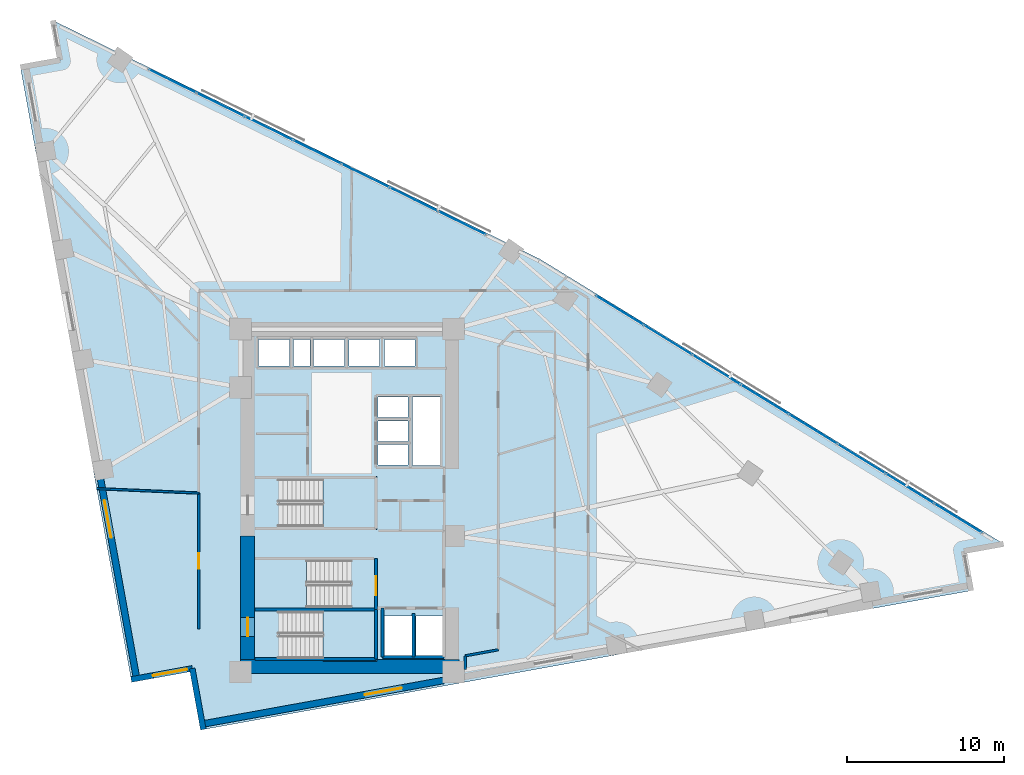
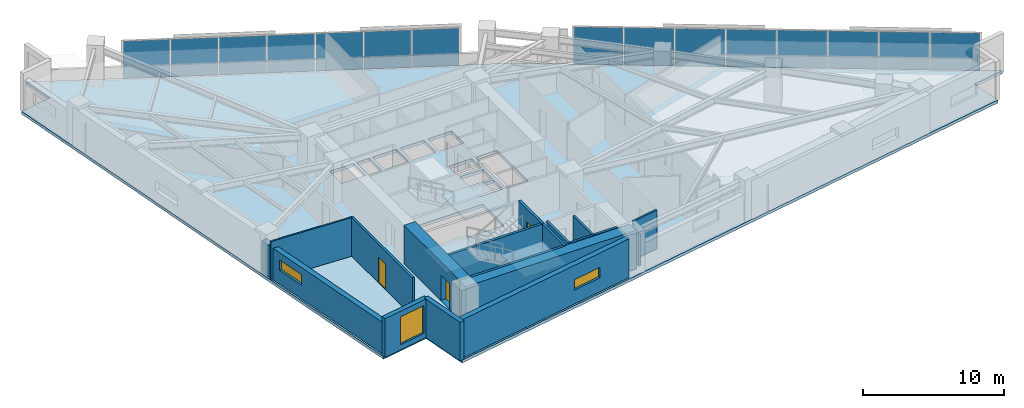
# One storey, part 12 of 19: 17 walls, 15 plates, 4 slabs, 3 doors, 3 windows, 6 openings, 5 elements without a shape of their own.
"""IFC4 building model written with IfcOpenShell, lengths in metres."""

from ifc_helpers import new_model, si_unit, direction, frame, frame_2d, origin, origin_2d, place, context, subcontext, project, spatial, polyline, rectangle, outline, extrude, material, layer, layer_set, type_object, element, fill, aggregate, save


model = new_model("IFC4")

# Units and contexts
model_context = context("Model", 3, precision=1e-05, world=origin(), true_north=direction((0.0, 1.0)))
body_context = subcontext(model_context, "Body", "Model", "MODEL_VIEW")
ifc_project = project(units=[si_unit("LENGTHUNIT", "METRE"), si_unit("AREAUNIT", "SQUARE_METRE"), si_unit("VOLUMEUNIT", "CUBIC_METRE"), si_unit("PLANEANGLEUNIT", "RADIAN"), si_unit("MASSUNIT", "GRAM", prefix="KILO")], contexts=[model_context])

# Site, building, storey
site_placement = place(None, origin())
site = spatial("IfcSite", under=ifc_project, at=site_placement, CompositionType="ELEMENT")
building_placement = place(site_placement, origin())
building = spatial("IfcBuilding", under=site, at=building_placement, Name="Narakoshi Arena Tower", CompositionType="ELEMENT")
storey_placement = place(building_placement, frame((0.0, 0.0, 117.300048828125)))
storey = spatial("IfcBuildingStorey", under=building, at=storey_placement, Name="L31", CompositionType="ELEMENT", Elevation=117.300048828125)

# Curtain wall, plates
ifc_material_1 = material(Name="Anodised bronze aluminium 6063-T6", Category="aluminium")
curtain_wall_type = type_object("IfcCurtainWallType", Name="CW-HYP-LOW", PredefinedType="NOTDEFINED", material=ifc_material_1)
curtain_wall_1_placement = place(storey_placement, origin())
curtain_wall_1 = element("IfcCurtainWall", 1, at=curtain_wall_1_placement, inside=storey, type_object=curtain_wall_type, Name="L31 Folded Hypotenuse Curtain Wall 1-1", PredefinedType="NOTDEFINED")
ifc_material_2 = material(Name="Bronze-tinted low-E laminated glass", Category="glass")
ifc_layer_1 = layer(ifc_material_2, 0.031982421875)
ifc_layer_set_1 = layer_set([ifc_layer_1], Name="Bronze-tinted low-E laminated glass")
plate_type = type_object("IfcPlateType", Name="PLT-GLZ-32", PredefinedType="CURTAIN_PANEL", material=ifc_layer_set_1)
plate_1_placement = place(storey_placement, frame((117.64013671875, 44.483642578125, 0.06494140625), z_axis=(0.0, 0.0, 1.0), x_axis=(-0.852113104237, 0.523357676535, 0.0)))
plate_1 = element("IfcPlate", 2, at=plate_1_placement, type_object=plate_type, Name="CW-01 panel 1.1", PredefinedType="CURTAIN_PANEL", context=body_context, shape_type="SweptSolid", body=[
    extrude(rectangle(XDim=3.498291015625, YDim=0.031982421875, at=origin_2d()), origin(), (0.0, 0.0, 1.0), 3.2099609375),
])
plate_2_placement = place(storey_placement, frame((114.5791015625, 46.36376953125, 0.06494140625), z_axis=(0.0, 0.0, 1.0), x_axis=(-0.852113104237, 0.523357676535, 0.0)))
plate_2 = element("IfcPlate", 3, at=plate_2_placement, type_object=plate_type, Name="CW-01 panel 2.1", PredefinedType="CURTAIN_PANEL", context=body_context, shape_type="SweptSolid", body=[
    extrude(rectangle(XDim=3.535888671875, YDim=0.031982421875, at=origin_2d()), origin(), (0.0, 0.0, 1.0), 3.2099609375),
])
plate_3_placement = place(storey_placement, frame((111.502197265625, 48.25341796875, 0.06494140625), z_axis=(0.0, 0.0, 1.0), x_axis=(-0.852113104237, 0.523357676535, 0.0)))
plate_3 = element("IfcPlate", 4, at=plate_3_placement, type_object=plate_type, Name="CW-01 panel 3.1", PredefinedType="CURTAIN_PANEL", context=body_context, shape_type="SweptSolid", body=[
    extrude(rectangle(XDim=3.535888671875, YDim=0.031982421875, at=origin_2d()), origin(), (0.0, 0.0, 1.0), 3.2099609375),
])
plate_4_placement = place(storey_placement, frame((108.42529296875, 50.143310546875, 0.06494140625), z_axis=(0.0, 0.0, 1.0), x_axis=(-0.852113104237, 0.523357676535, 0.0)))
plate_4 = element("IfcPlate", 5, at=plate_4_placement, type_object=plate_type, Name="CW-01 panel 4.1", PredefinedType="CURTAIN_PANEL", context=body_context, shape_type="SweptSolid", body=[
    extrude(rectangle(XDim=3.535888671875, YDim=0.031982421875, at=origin_2d()), origin(), (0.0, 0.0, 1.0), 3.2099609375),
])
plate_5_placement = place(storey_placement, frame((105.348388671875, 52.032958984375, 0.06494140625), z_axis=(0.0, 0.0, 1.0), x_axis=(-0.852113104237, 0.523357676535, 0.0)))
plate_5 = element("IfcPlate", 6, at=plate_5_placement, type_object=plate_type, Name="CW-01 panel 5.1", PredefinedType="CURTAIN_PANEL", context=body_context, shape_type="SweptSolid", body=[
    extrude(rectangle(XDim=3.535888671875, YDim=0.031982421875, at=origin_2d()), origin(), (0.0, 0.0, 1.0), 3.2099609375),
])
plate_6_placement = place(storey_placement, frame((102.271728515625, 53.9228515625, 0.06494140625), z_axis=(0.0, 0.0, 1.0), x_axis=(-0.852113104237, 0.523357676535, 0.0)))
plate_6 = element("IfcPlate", 7, at=plate_6_placement, type_object=plate_type, Name="CW-01 panel 6.1", PredefinedType="CURTAIN_PANEL", context=body_context, shape_type="SweptSolid", body=[
    extrude(rectangle(XDim=3.535888671875, YDim=0.031982421875, at=origin_2d()), origin(), (0.0, 0.0, 1.0), 3.2099609375),
])
plate_7_placement = place(storey_placement, frame((99.19482421875, 55.8125, 0.06494140625), z_axis=(0.0, 0.0, 1.0), x_axis=(-0.852113104237, 0.523357676535, 0.0)))
plate_7 = element("IfcPlate", 8, at=plate_7_placement, type_object=plate_type, Name="CW-01 panel 7.1", PredefinedType="CURTAIN_PANEL", context=body_context, shape_type="SweptSolid", body=[
    extrude(rectangle(XDim=3.535888671875, YDim=0.031982421875, at=origin_2d()), origin(), (0.0, 0.0, 1.0), 3.2099609375),
])
plate_8_placement = place(storey_placement, frame((96.1337890625, 57.692626953125, 0.06494140625), z_axis=(0.0, 0.0, 1.0), x_axis=(-0.852113104237, 0.523357676535, 0.0)))
plate_8 = element("IfcPlate", 9, at=plate_8_placement, type_object=plate_type, Name="CW-01 panel 8.1", PredefinedType="CURTAIN_PANEL", context=body_context, shape_type="SweptSolid", body=[
    extrude(rectangle(XDim=3.498291015625, YDim=0.031982421875, at=origin_2d()), origin(), (0.0, 0.0, 1.0), 3.2099609375),
])
aggregate(curtain_wall_1, [plate_1, plate_2, plate_3, plate_4, plate_5, plate_6, plate_7, plate_8])

curtain_wall_2_placement = place(storey_placement, origin())
curtain_wall_2 = element("IfcCurtainWall", 10, at=curtain_wall_2_placement, inside=storey, type_object=curtain_wall_type, Name="L31 Folded Hypotenuse Curtain Wall 2-1", PredefinedType="NOTDEFINED")
plate_9_placement = place(storey_placement, frame((86.0791015625, 63.259765625, 0.06494140625), z_axis=(0.0, 0.0, 1.0), x_axis=(-0.89799556291, 0.440004510198, 0.0)))
plate_9 = element("IfcPlate", 11, at=plate_9_placement, type_object=plate_type, Name="CW-01 panel 1.1", PredefinedType="CURTAIN_PANEL", context=body_context, shape_type="SweptSolid", body=[
    extrude(rectangle(XDim=3.309814453125, YDim=0.031982421875, at=origin_2d()), origin(), (0.0, 0.0, 1.0), 3.2099609375),
])
plate_10_placement = place(storey_placement, frame((83.022705078125, 64.75732421875, 0.06494140625), z_axis=(0.0, 0.0, 1.0), x_axis=(-0.89799556291, 0.440004510198, 0.0)))
plate_10 = element("IfcPlate", 12, at=plate_10_placement, type_object=plate_type, Name="CW-01 panel 2.1", PredefinedType="CURTAIN_PANEL", context=body_context, shape_type="SweptSolid", body=[
    extrude(rectangle(XDim=3.347412109375, YDim=0.031982421875, at=origin_2d()), origin(), (0.0, 0.0, 1.0), 3.2099609375),
])
plate_11_placement = place(storey_placement, frame((79.949462890625, 66.26318359375, 0.06494140625), z_axis=(0.0, 0.0, 1.0), x_axis=(-0.89799556291, 0.440004510198, 0.0)))
plate_11 = element("IfcPlate", 13, at=plate_11_placement, type_object=plate_type, Name="CW-01 panel 3.1", PredefinedType="CURTAIN_PANEL", context=body_context, shape_type="SweptSolid", body=[
    extrude(rectangle(XDim=3.347412109375, YDim=0.031982421875, at=origin_2d()), origin(), (0.0, 0.0, 1.0), 3.2099609375),
])
plate_12_placement = place(storey_placement, frame((76.8759765625, 67.76904296875, 0.06494140625), z_axis=(0.0, 0.0, 1.0), x_axis=(-0.89799556291, 0.440004510198, 0.0)))
plate_12 = element("IfcPlate", 14, at=plate_12_placement, type_object=plate_type, Name="CW-01 panel 4.1", PredefinedType="CURTAIN_PANEL", context=body_context, shape_type="SweptSolid", body=[
    extrude(rectangle(XDim=3.347412109375, YDim=0.031982421875, at=origin_2d()), origin(), (0.0, 0.0, 1.0), 3.2099609375),
])
plate_13_placement = place(storey_placement, frame((73.802734375, 69.27490234375, 0.06494140625), z_axis=(0.0, 0.0, 1.0), x_axis=(-0.89799556291, 0.440004510198, 0.0)))
plate_13 = element("IfcPlate", 15, at=plate_13_placement, type_object=plate_type, Name="CW-01 panel 5.1", PredefinedType="CURTAIN_PANEL", context=body_context, shape_type="SweptSolid", body=[
    extrude(rectangle(XDim=3.347412109375, YDim=0.031982421875, at=origin_2d()), origin(), (0.0, 0.0, 1.0), 3.2099609375),
])
plate_14_placement = place(storey_placement, frame((70.7294921875, 70.781005859375, 0.06494140625), z_axis=(0.0, 0.0, 1.0), x_axis=(-0.89799556291, 0.440004510198, 0.0)))
plate_14 = element("IfcPlate", 16, at=plate_14_placement, type_object=plate_type, Name="CW-01 panel 6.1", PredefinedType="CURTAIN_PANEL", context=body_context, shape_type="SweptSolid", body=[
    extrude(rectangle(XDim=3.347412109375, YDim=0.031982421875, at=origin_2d()), origin(), (0.0, 0.0, 1.0), 3.2099609375),
])
plate_15_placement = place(storey_placement, frame((67.673095703125, 72.278564453125, 0.06494140625), z_axis=(0.0, 0.0, 1.0), x_axis=(-0.89799556291, 0.440004510198, 0.0)))
plate_15 = element("IfcPlate", 17, at=plate_15_placement, type_object=plate_type, Name="CW-01 panel 7.1", PredefinedType="CURTAIN_PANEL", context=body_context, shape_type="SweptSolid", body=[
    extrude(rectangle(XDim=3.309814453125, YDim=0.031982421875, at=origin_2d()), origin(), (0.0, 0.0, 1.0), 3.2099609375),
])
aggregate(curtain_wall_2, [plate_9, plate_10, plate_11, plate_12, plate_13, plate_14, plate_15])

# Stair, slab
ifc_material_3 = material(Name="Concrete C45/55", Category="concrete")
stair_type = type_object("IfcStairType", Name="STR-CORE-360", PredefinedType="TWO_STRAIGHT_RUN_STAIR", material=ifc_material_3)
stair_1_placement = place(storey_placement, origin())
stair_1 = element("IfcStair", 18, at=stair_1_placement, inside=storey, type_object=stair_type, Name="L31 Core Escape Stair ST1", PredefinedType="TWO_STRAIGHT_RUN_STAIR")
ifc_layer_2 = layer(ifc_material_3, 0.18994140625)
ifc_layer_set_2 = layer_set([ifc_layer_2], Name="Concrete C45/55")
slab_type_1 = type_object("IfcSlabType", Name="SLB-LND-190", PredefinedType="LANDING", material=ifc_layer_set_2)
slab_1_placement = place(storey_placement, frame((0.0, 0.0, 1.60986328125)))
slab_1 = element("IfcSlab", 19, at=slab_1_placement, type_object=slab_type_1, Name="ST1 landing 1", PredefinedType="LANDING", context=body_context, shape_type="SweptSolid", body=[
    extrude(outline(polyline([(77.25, 35.3701171875), (80.679931640625, 35.3701171875), (80.679931640625, 38.72998046875), (77.25, 38.72998046875), (77.25, 35.3701171875)])), origin(), (0.0, 0.0, 1.0), 0.190185546875),
])
aggregate(stair_1, [slab_1])

stair_2_placement = place(storey_placement, origin())
stair_2 = element("IfcStair", 20, at=stair_2_placement, inside=storey, type_object=stair_type, Name="L31 Core Escape Stair ST2", PredefinedType="TWO_STRAIGHT_RUN_STAIR")
slab_2_placement = place(storey_placement, frame((0.0, 0.0, 1.60986328125)))
slab_2 = element("IfcSlab", 21, at=slab_2_placement, type_object=slab_type_1, Name="ST2 landing 1", PredefinedType="LANDING", context=body_context, shape_type="SweptSolid", body=[
    extrude(outline(polyline([(72.77001953125, 38.6201171875), (76.199951171875, 38.6201171875), (76.199951171875, 41.97998046875), (72.77001953125, 41.97998046875), (72.77001953125, 38.6201171875)])), origin(), (0.0, 0.0, 1.0), 0.190185546875),
])
aggregate(stair_2, [slab_2])

stair_3_placement = place(storey_placement, origin())
stair_3 = element("IfcStair", 22, at=stair_3_placement, inside=storey, type_object=stair_type, Name="L31 Core Escape Stair ST3", PredefinedType="TWO_STRAIGHT_RUN_STAIR")
slab_3_placement = place(storey_placement, frame((0.0, 0.0, 1.60986328125)))
slab_3 = element("IfcSlab", 23, at=slab_3_placement, type_object=slab_type_1, Name="ST3 landing 1", PredefinedType="LANDING", context=body_context, shape_type="SweptSolid", body=[
    extrude(outline(polyline([(77.25, 43.77001953125), (80.679931640625, 43.77001953125), (80.679931640625, 47.1298828125), (77.25, 47.1298828125), (77.25, 43.77001953125)])), origin(), (0.0, 0.0, 1.0), 0.190185546875),
])
aggregate(stair_3, [slab_3])

# Slab
ifc_material_4 = material(Name="Concrete C50/60", Category="concrete")
ifc_layer_3 = layer(ifc_material_4, 0.260009765625)
ifc_layer_set_3 = layer_set([ifc_layer_3], Name="Concrete C50/60")
slab_type_2 = type_object("IfcSlabType", Name="SLB-SKY-260", PredefinedType="FLOOR", material=ifc_layer_set_3)
slab_4_placement = place(storey_placement, frame((0.0, 0.0, -0.260009765625)))
element("IfcSlab", 24, at=slab_4_placement, inside=storey, type_object=slab_type_2, Name="L31 Structural Floor Slab", PredefinedType="FLOOR", context=body_context, shape_type="SweptSolid", body=[
    extrude(outline(polyline([(69.626953125, 31.03271484375), (118.466796875, 39.8642578125), (118.01025390625, 42.3896484375), (120.535400390625, 42.84619140625), (91.034912109375, 60.965087890625), (60.066162109375, 76.139404296875), (60.522705078125, 73.614013671875), (57.99755859375, 73.157470703125), (65.039306640625, 34.215087890625), (68.92431640625, 34.91748046875), (69.626953125, 31.03271484375)]), holes=[polyline([(80.5, 35.550048828125), (74.47998046875, 35.550048828125), (74.47998046875, 38.550048828125), (80.5, 38.550048828125), (80.5, 35.550048828125)]), polyline([(82.89990234375, 35.75), (81.14990234375, 35.75), (81.14990234375, 38.25), (82.89990234375, 38.25), (82.89990234375, 35.75)]), polyline([(83.14990234375, 35.75), (83.14990234375, 38.25), (84.89990234375, 38.25), (84.89990234375, 35.75), (83.14990234375, 35.75)]), polyline([(72.949951171875, 38.800048828125), (72.949951171875, 41.800048828125), (78.969970703125, 41.800048828125), (78.969970703125, 38.800048828125), (72.949951171875, 38.800048828125)]), polyline([(74.47998046875, 43.949951171875), (74.47998046875, 46.949951171875), (80.5, 46.949951171875), (80.5, 43.949951171875), (74.47998046875, 43.949951171875)]), polyline([(82.949951171875, 47.840087890625), (82.949951171875, 52.199951171875), (84.699951171875, 52.199951171875), (84.699951171875, 47.840087890625), (82.949951171875, 47.840087890625)]), polyline([(80.75, 47.85009765625), (80.75, 49.14990234375), (82.64990234375, 49.14990234375), (82.64990234375, 47.85009765625), (80.75, 47.85009765625)]), polyline([(80.75, 49.3701171875), (80.75, 50.669921875), (82.64990234375, 50.669921875), (82.64990234375, 49.3701171875), (80.75, 49.3701171875)]), polyline([(80.75, 50.889892578125), (80.75, 52.18994140625), (82.64990234375, 52.18994140625), (82.64990234375, 50.889892578125), (80.75, 50.889892578125)]), polyline([(73.14990234375, 54.14990234375), (73.14990234375, 55.85009765625), (75.10009765625, 55.85009765625), (75.10009765625, 54.14990234375), (73.14990234375, 54.14990234375)]), polyline([(75.35009765625, 54.14990234375), (75.35009765625, 55.85009765625), (76.39990234375, 55.85009765625), (76.39990234375, 54.14990234375), (75.35009765625, 54.14990234375)]), polyline([(76.64990234375, 54.14990234375), (76.64990234375, 55.85009765625), (78.60009765625, 55.85009765625), (78.60009765625, 54.14990234375), (76.64990234375, 54.14990234375)]), polyline([(78.89990234375, 54.14990234375), (78.89990234375, 55.85009765625), (80.85009765625, 55.85009765625), (80.85009765625, 54.14990234375), (78.89990234375, 54.14990234375)]), polyline([(81.14990234375, 54.14990234375), (81.14990234375, 55.85009765625), (83.10009765625, 55.85009765625), (83.10009765625, 54.14990234375), (81.14990234375, 54.14990234375)])]), origin(), (0.0, 0.0, 1.0), 0.260009765625),
])

# Wall, opening, door
ifc_material_5 = material(Name="Concrete C60/75", Category="concrete")
ifc_layer_4 = layer(ifc_material_5, 0.89990234375)
ifc_layer_set_4 = layer_set([ifc_layer_4], Name="Concrete C60/75")
wall_type_1 = type_object("IfcWallType", Name="WL-CORE-900", PredefinedType="SHEAR", material=ifc_layer_set_4)
wall_1_placement = place(storey_placement, frame((72.449951171875, 35.5, -0.260009765625), z_axis=(0.0, 0.0, 1.0), x_axis=(0.0, 1.0, 0.0)))
wall_1 = element("IfcWall", 25, at=wall_1_placement, inside=storey, type_object=wall_type_1, Name="L31 Central Core Shear Wall CW-APX-W", PredefinedType="SHEAR", context=body_context, shape_type="SweptSolid", body=[
    extrude(rectangle(XDim=7.85009765625, YDim=0.89990234375, at=frame_2d((3.925048828125, 0.0))), origin(), (0.0, 0.0, 1.0), 3.599853515625),
])
opening_1_placement = place(wall_1_placement, frame((1.449951171875, 0.0, 0.260009765625)))
opening_1 = element("IfcOpeningElement", 26, at=opening_1_placement, cuts=wall_1, Name="Opening D-03", PredefinedType="OPENING", context=body_context, shape_type="SweptSolid", body=[
    extrude(rectangle(XDim=1.199951171875, YDim=2.199951171875, at=frame_2d((0.60009765625, 1.10009765625))), frame((0.0, 0.4599609375, 0.0), z_axis=(0.0, -1.0, 0.0), x_axis=(1.0, 0.0, 0.0)), (0.0, 0.0, 1.0), 0.919921875),
])
ifc_material_6 = material(Name="Painted galvanized steel", Category="steel")
door_type_1 = type_object("IfcDoorType", Name="DR-STR-1200", OperationType="NOTDEFINED", PredefinedType="USERDEFINED", material=ifc_material_6)
door_1_placement = place(opening_1_placement, frame((1.199951171875, 0.0, 0.0), z_axis=(0.0, 0.0, 1.0), x_axis=(-1.0, 0.0, 0.0)))
door_1 = element("IfcDoor", 27, at=door_1_placement, inside=storey, type_object=door_type_1, Name="DR-L31-001", ObjectType="EXITDOOR", OperationType="SINGLE_SWING_LEFT", OverallHeight=2.199951171875, OverallWidth=1.199951171875, PredefinedType="USERDEFINED", context=body_context, shape_type="SweptSolid", body=[
    extrude(rectangle(XDim=1.199951171875, YDim=2.199951171875, at=frame_2d((0.60009765625, 1.10009765625))), frame((0.0, 0.02490234375, 0.0), z_axis=(0.0, -1.0, 0.0), x_axis=(1.0, 0.0, 0.0)), (0.0, 0.0, 1.0), 0.050048828125),
])
fill(opening_1, door_1)

# Wall
wall_2_placement = place(storey_placement, frame((72.0, 35.050048828125, -0.260009765625), z_axis=(0.0, 0.0, 1.0), x_axis=(1.0, 0.0, 0.0)))
element("IfcWall", 28, at=wall_2_placement, inside=storey, type_object=wall_type_1, Name="L31 Central Core Shear Wall CW-APX-S", PredefinedType="SHEAR", context=body_context, shape_type="SweptSolid", body=[
    extrude(rectangle(XDim=13.89990234375, YDim=0.89990234375, at=frame_2d((6.949951171875, 0.0))), origin(), (0.0, 0.0, 1.0), 3.599853515625),
])

# Wall, opening, door
ifc_material_7 = material(Name="Gypsum plasterboard fire-rated partition")
ifc_layer_5 = layer(ifc_material_7, 0.1650390625)
ifc_layer_set_5 = layer_set([ifc_layer_5], Name="Gypsum plasterboard fire-rated partition")
wall_type_2 = type_object("IfcWallType", Name="WL-CORR-165", PredefinedType="PARTITIONING", material=ifc_layer_set_5)
wall_3_placement = place(storey_placement, frame((69.344970703125, 46.0751953125, 0.0), z_axis=(0.0, 0.0, 1.0), x_axis=(0.0, -1.0, 0.0)))
wall_3 = element("IfcWall", 29, at=wall_3_placement, inside=storey, type_object=wall_type_2, Name="L31 Corridor Partition 01-1", PredefinedType="PARTITIONING", context=body_context, shape_type="SweptSolid", body=[
    extrude(rectangle(XDim=8.635009765625, YDim=0.1650390625, at=frame_2d((4.3173828125, 0.0))), origin(), (0.0, 0.0, 1.0), 3.33984375),
])
opening_2_placement = place(wall_3_placement, frame((3.817626953125, 0.0, 0.0)))
opening_2 = element("IfcOpeningElement", 30, at=opening_2_placement, cuts=wall_3, Name="Opening D-06", PredefinedType="OPENING", context=body_context, shape_type="SweptSolid", body=[
    extrude(rectangle(XDim=1.0, YDim=2.199951171875, at=frame_2d((0.5, 1.10009765625))), frame((0.0, 0.092529296875, 0.0), z_axis=(0.0, -1.0, 0.0), x_axis=(1.0, 0.0, 0.0)), (0.0, 0.0, 1.0), 0.18505859375),
])
ifc_material_8 = material(Name="Stained oak solid-core timber", Category="wood")
door_type_2 = type_object("IfcDoorType", Name="DR-OFF-1000", OperationType="NOTDEFINED", PredefinedType="DOOR", material=ifc_material_8)
door_2_placement = place(opening_2_placement, frame((1.0, 0.0, 0.0), z_axis=(0.0, 0.0, 1.0), x_axis=(-1.0, 0.0, 0.0)))
door_2 = element("IfcDoor", 31, at=door_2_placement, inside=storey, type_object=door_type_2, Name="DR-L31-015", OperationType="SINGLE_SWING_LEFT", OverallHeight=2.199951171875, OverallWidth=1.0, PredefinedType="DOOR", context=body_context, shape_type="SweptSolid", body=[
    extrude(rectangle(XDim=1.0, YDim=2.199951171875, at=frame_2d((0.5, 1.10009765625))), frame((0.0, 0.02490234375, 0.0), z_axis=(0.0, -1.0, 0.0), x_axis=(1.0, 0.0, 0.0)), (0.0, 0.0, 1.0), 0.050048828125),
])
fill(opening_2, door_2)

# Wall
ifc_layer_6 = layer(ifc_material_7, 0.125)
ifc_layer_set_6 = layer_set([ifc_layer_6], Name="Gypsum plasterboard fire-rated partition")
wall_type_3 = type_object("IfcWallType", Name="WL-PART-125", PredefinedType="PARTITIONING", material=ifc_layer_set_6)
wall_4_placement = place(storey_placement, frame((62.843994140625, 46.35595703125, 0.0), z_axis=(0.0, 0.0, 1.0), x_axis=(0.999068717199, -0.043147402162, 0.0)))
element("IfcWall", 32, at=wall_4_placement, inside=storey, type_object=wall_type_3, Name="L31 Inter-Room Partition 01-09", PredefinedType="PARTITIONING", context=body_context, shape_type="SweptSolid", body=[
    extrude(rectangle(XDim=6.507080078125, YDim=0.125, at=frame_2d((3.25341796875, 0.0))), origin(), (0.0, 0.0, 1.0), 3.33984375),
])

# Wall, opening, window
ifc_material_9 = material(Name="Precast concrete C45/55", Category="concrete")
ifc_layer_7 = layer(ifc_material_9, 0.419921875)
ifc_layer_set_7 = layer_set([ifc_layer_7], Name="Precast concrete C45/55")
wall_type_4 = type_object("IfcWallType", Name="WL-POD-420", PredefinedType="SOLIDWALL", material=ifc_layer_set_7)
wall_5_placement = place(storey_placement, frame((69.564697265625, 31.376953125, 0.0), z_axis=(0.0, 0.0, 1.0), x_axis=(0.98404091451, 0.177942346197, 0.0)))
wall_5 = element("IfcWall", 33, at=wall_5_placement, inside=storey, type_object=wall_type_4, Name="L31 Architectural Concrete Facade Wall LEGA-1", PredefinedType="SOLIDWALL", context=body_context, shape_type="SweptSolid", body=[
    extrude(rectangle(XDim=15.58349609375, YDim=0.419921875, at=frame_2d((7.791748046875, 0.0))), origin(), (0.0, 0.0, 1.0), 3.33984375),
])
opening_3_placement = place(wall_5_placement, frame((10.5, 0.0, 1.199951171875)))
opening_3 = element("IfcOpeningElement", 34, at=opening_3_placement, cuts=wall_5, Name="Opening WN-01", PredefinedType="OPENING", context=body_context, shape_type="SweptSolid", body=[
    extrude(rectangle(XDim=2.39990234375, YDim=0.89990234375, at=frame_2d((1.199951171875, 0.449951171875))), frame((0.0, 0.219970703125, 0.0), z_axis=(0.0, -1.0, 0.0), x_axis=(1.0, 0.0, 0.0)), (0.0, 0.0, 1.0), 0.43994140625),
])
window_type_1 = type_object("IfcWindowType", Name="WIN-SLT-24x09", PartitioningType="SINGLE_PANEL", PredefinedType="WINDOW", material=ifc_material_2)
window_1_placement = place(opening_3_placement, origin())
window_1 = element("IfcWindow", 35, at=window_1_placement, inside=storey, type_object=window_type_1, Name="L31 LEGA1 Horizontal Slot Window 1", OverallHeight=0.89990234375, OverallWidth=2.39990234375, PartitioningType="SINGLE_PANEL", PredefinedType="WINDOW", context=body_context, shape_type="SweptSolid", body=[
    extrude(rectangle(XDim=2.39990234375, YDim=0.89990234375, at=frame_2d((1.199951171875, 0.449951171875))), frame((0.0, 0.030029296875, 0.0), z_axis=(0.0, -1.0, 0.0), x_axis=(1.0, 0.0, 0.0)), (0.0, 0.0, 1.0), 0.06005859375),
])
fill(opening_3, window_1)

wall_6_placement = place(storey_placement, frame((62.989501953125, 47.517578125, 0.0), z_axis=(0.0, 0.0, 1.0), x_axis=(0.177948058674, -0.984039881516, 0.0)))
wall_6 = element("IfcWall", 36, at=wall_6_placement, inside=storey, type_object=wall_type_4, Name="L31 Architectural Concrete Facade Wall LEGB-3", PredefinedType="SOLIDWALL", context=body_context, shape_type="SweptSolid", body=[
    extrude(rectangle(XDim=13.455078125, YDim=0.419921875, at=frame_2d((6.7275390625, 0.0))), origin(), (0.0, 0.0, 1.0), 2.724853515625),
])
opening_4_placement = place(wall_6_placement, frame((1.945068359375, 0.0, 1.199951171875)))
opening_4 = element("IfcOpeningElement", 37, at=opening_4_placement, cuts=wall_6, Name="Opening WN-01", PredefinedType="OPENING", context=body_context, shape_type="SweptSolid", body=[
    extrude(rectangle(XDim=2.39990234375, YDim=0.89990234375, at=frame_2d((1.199951171875, 0.449951171875))), frame((0.0, 0.219970703125, 0.0), z_axis=(0.0, -1.0, 0.0), x_axis=(1.0, 0.0, 0.0)), (0.0, 0.0, 1.0), 0.43994140625),
])
window_2_placement = place(opening_4_placement, origin())
window_2 = element("IfcWindow", 38, at=window_2_placement, inside=storey, type_object=window_type_1, Name="L31 LEGB3 Horizontal Slot Window 1", OverallHeight=0.89990234375, OverallWidth=2.39990234375, PartitioningType="SINGLE_PANEL", PredefinedType="WINDOW", context=body_context, shape_type="SweptSolid", body=[
    extrude(rectangle(XDim=2.39990234375, YDim=0.89990234375, at=frame_2d((1.199951171875, 0.449951171875))), frame((0.0, 0.030029296875, 0.0), z_axis=(0.0, -1.0, 0.0), x_axis=(1.0, 0.0, 0.0)), (0.0, 0.0, 1.0), 0.06005859375),
])
fill(opening_4, window_2)

wall_7_placement = place(storey_placement, frame((65.039306640625, 34.215087890625, 0.0), z_axis=(0.0, 0.0, 1.0), x_axis=(0.984046535247, 0.177911260096, 0.0)))
wall_7 = element("IfcWall", 39, at=wall_7_placement, inside=storey, type_object=wall_type_4, Name="L31 Re-Entrant Corner Notch Wall NTA-1", PredefinedType="SOLIDWALL", context=body_context, shape_type="SweptSolid", body=[
    extrude(rectangle(XDim=3.947998046875, YDim=0.360107421875, at=frame_2d((1.97412109375, 0.0))), origin(), (0.0, 0.0, 1.0), 3.33984375),
])
opening_5_placement = place(wall_7_placement, frame((1.407958984375, 0.0, 0.449951171875)))
opening_5 = element("IfcOpeningElement", 40, at=opening_5_placement, cuts=wall_7, Name="Opening WN-07", PredefinedType="OPENING", context=body_context, shape_type="SweptSolid", body=[
    extrude(rectangle(XDim=2.199951171875, YDim=2.39990234375, at=frame_2d((1.10009765625, 1.199951171875))), frame((0.0, 0.18994140625, 0.0), z_axis=(0.0, -1.0, 0.0), x_axis=(1.0, 0.0, 0.0)), (0.0, 0.0, 1.0), 0.380126953125),
])
window_type_2 = type_object("IfcWindowType", Name="WIN-NTC-22x24", PartitioningType="SINGLE_PANEL", PredefinedType="WINDOW", material=ifc_material_2)
window_3_placement = place(opening_5_placement, origin())
window_3 = element("IfcWindow", 41, at=window_3_placement, inside=storey, type_object=window_type_2, Name="L31 Corner Notch Window NTA", OverallHeight=2.39990234375, OverallWidth=2.199951171875, PartitioningType="SINGLE_PANEL", PredefinedType="WINDOW", context=body_context, shape_type="SweptSolid", body=[
    extrude(rectangle(XDim=2.199951171875, YDim=2.39990234375, at=frame_2d((1.10009765625, 1.199951171875))), frame((0.0, 0.030029296875, 0.0), z_axis=(0.0, -1.0, 0.0), x_axis=(1.0, 0.0, 0.0)), (0.0, 0.0, 1.0), 0.06005859375),
])
fill(opening_5, window_3)

# Walls
wall_8_placement = place(storey_placement, frame((68.92431640625, 34.91748046875, 0.0), z_axis=(0.0, 0.0, 1.0), x_axis=(0.177981971326, -0.984033748346, 0.0)))
element("IfcWall", 42, at=wall_8_placement, inside=storey, type_object=wall_type_4, Name="L31 Re-Entrant Corner Notch Wall NTA-2", PredefinedType="SOLIDWALL", context=body_context, shape_type="SweptSolid", body=[
    extrude(rectangle(XDim=3.94775390625, YDim=0.360107421875, at=frame_2d((1.973876953125, 0.0))), origin(), (0.0, 0.0, 1.0), 3.33984375),
])
ifc_material_10 = material(Name="Concrete C40/50", Category="concrete")
ifc_layer_8 = layer(ifc_material_10, 0.280029296875)
ifc_layer_set_8 = layer_set([ifc_layer_8], Name="Concrete C40/50")
wall_type_5 = type_object("IfcWallType", Name="WL-RISER-280", PredefinedType="PLUMBINGWALL", material=ifc_layer_set_8)
wall_9_placement = place(storey_placement, frame((83.0, 35.64990234375, 0.0), z_axis=(0.0, 0.0, 1.0), x_axis=(0.0, 1.0, 0.0)))
element("IfcWall", 43, at=wall_9_placement, inside=storey, type_object=wall_type_5, Name="L31 Core Wall FF-DIV", PredefinedType="PLUMBINGWALL", context=body_context, shape_type="SweptSolid", body=[
    extrude(rectangle(XDim=2.75, YDim=0.159912109375, at=frame_2d((1.375, 0.0))), origin(), (0.0, 0.0, 1.0), 3.33984375),
])
ifc_layer_9 = layer(ifc_material_4, 0.35009765625)
ifc_layer_set_9 = layer_set([ifc_layer_9], Name="Concrete C50/60")
wall_type_6 = type_object("IfcWallType", Name="WL-SHAFT-350", PredefinedType="SOLIDWALL", material=ifc_layer_set_9)
for number, where, z_axis, x_axis, name in (
    (44, (72.919921875, 35.52001953125, -0.260009765625), (0.0, 0.0, 1.0), (1.0, 0.0, 0.0), "L31 Core Wall ST1-S"),
    (45, (72.919921875, 38.675048828125, -0.260009765625), (0.0, 0.0, 1.0), (1.0, 0.0, 0.0), "L31 Core Wall ST12-DIV"),
):
    element("IfcWall", number, at=place(storey_placement, frame(where, z_axis=z_axis, x_axis=x_axis)), inside=storey, type_object=wall_type_6, Name=name, PredefinedType="SOLIDWALL", context=body_context, shape_type="SweptSolid", body=[
        extrude(rectangle(XDim=7.7001953125, YDim=0.199951171875, at=frame_2d((3.85009765625, 0.0))), origin(), (0.0, 0.0, 1.0), 3.599853515625),
    ])
wall_10_placement = place(storey_placement, frame((80.6201171875, 35.52001953125, -0.260009765625), z_axis=(0.0, 0.0, 1.0), x_axis=(0.0, 1.0, 0.0)))
element("IfcWall", 46, at=wall_10_placement, inside=storey, type_object=wall_type_6, Name="L31 Core Wall ST1-E", PredefinedType="SOLIDWALL", context=body_context, shape_type="SweptSolid", body=[
    extrude(rectangle(XDim=3.155029296875, YDim=0.199951171875, at=frame_2d((1.57763671875, 0.0))), origin(), (0.0, 0.0, 1.0), 3.599853515625),
])

# Wall, opening, door
wall_11_placement = place(storey_placement, frame((80.6201171875, 38.675048828125, -0.260009765625), z_axis=(0.0, 0.0, 1.0), x_axis=(0.0, 1.0, 0.0)))
wall_11 = element("IfcWall", 47, at=wall_11_placement, inside=storey, type_object=wall_type_6, Name="L31 Core Wall ST2-E", PredefinedType="SOLIDWALL", context=body_context, shape_type="SweptSolid", body=[
    extrude(rectangle(XDim=3.244873046875, YDim=0.199951171875, at=frame_2d((1.62255859375, 0.0))), origin(), (0.0, 0.0, 1.0), 3.599853515625),
])
opening_6_placement = place(wall_11_placement, frame((0.89990234375, 0.0, 0.260009765625)))
opening_6 = element("IfcOpeningElement", 48, at=opening_6_placement, cuts=wall_11, Name="Opening D-03", PredefinedType="OPENING", context=body_context, shape_type="SweptSolid", body=[
    extrude(rectangle(XDim=1.199951171875, YDim=2.199951171875, at=frame_2d((0.60009765625, 1.10009765625))), frame((0.0, 0.10986328125, 0.0), z_axis=(0.0, -1.0, 0.0), x_axis=(1.0, 0.0, 0.0)), (0.0, 0.0, 1.0), 0.219970703125),
])
door_3_placement = place(opening_6_placement, origin())
door_3 = element("IfcDoor", 49, at=door_3_placement, inside=storey, type_object=door_type_1, Name="DR-L31-002", ObjectType="EXITDOOR", OperationType="SINGLE_SWING_RIGHT", OverallHeight=2.199951171875, OverallWidth=1.199951171875, PredefinedType="USERDEFINED", context=body_context, shape_type="SweptSolid", body=[
    extrude(rectangle(XDim=1.199951171875, YDim=2.199951171875, at=frame_2d((0.60009765625, 1.10009765625))), frame((0.0, 0.02490234375, 0.0), z_axis=(0.0, -1.0, 0.0), x_axis=(1.0, 0.0, 0.0)), (0.0, 0.0, 1.0), 0.050048828125),
])
fill(opening_6, door_3)

# Walls
wall_12_placement = place(storey_placement, frame((81.02001953125, 35.64990234375, 0.0), z_axis=(0.0, 0.0, 1.0), x_axis=(0.0, 1.0, 0.0)))
element("IfcWall", 50, at=wall_12_placement, inside=storey, type_object=wall_type_6, Name="L31 Core Wall FF-W", PredefinedType="SOLIDWALL", context=body_context, shape_type="SweptSolid", body=[
    extrude(rectangle(XDim=3.10009765625, YDim=0.179931640625, at=frame_2d((1.550048828125, 0.0))), origin(), (0.0, 0.0, 1.0), 3.33984375),
])
wall_13_placement = place(storey_placement, frame((81.02001953125, 35.64990234375, 0.0), z_axis=(0.0, 0.0, 1.0), x_axis=(1.0, 0.0, 0.0)))
element("IfcWall", 51, at=wall_13_placement, inside=storey, type_object=wall_type_6, Name="L31 Core Wall FF-S", PredefinedType="SOLIDWALL", context=body_context, shape_type="SweptSolid", body=[
    extrude(rectangle(XDim=3.929931640625, YDim=0.179931640625, at=frame_2d((1.96484375, 0.0))), origin(), (0.0, 0.0, 1.0), 3.33984375),
])
ifc_material_11 = material(Name="Moisture-resistant cement-board partition")
ifc_layer_10 = layer(ifc_material_11, 0.14501953125)
ifc_layer_set_10 = layer_set([ifc_layer_10], Name="Moisture-resistant cement-board partition")
wall_type_7 = type_object("IfcWallType", Name="WL-WET-145", PredefinedType="PARTITIONING", material=ifc_layer_set_10)
wall_14_placement = place(storey_placement, frame((86.300048828125, 35.724365234375, 0.0), z_axis=(0.0, 0.0, 1.0), x_axis=(0.984046990905, 0.177908739781, 0.0)))
element("IfcWall", 52, at=wall_14_placement, inside=storey, type_object=wall_type_7, Name="L31 Corridor Partition 02-3", PredefinedType="PARTITIONING", context=body_context, shape_type="SweptSolid", body=[
    extrude(rectangle(XDim=2.1337890625, YDim=0.14501953125, at=frame_2d((1.06689453125, 0.0))), origin(), (0.0, 0.0, 1.0), 3.33984375),
])
wall_15_placement = place(storey_placement, frame((86.300048828125, 34.840087890625, 0.0), z_axis=(0.0, 0.0, 1.0), x_axis=(0.0, 1.0, 0.0)))
element("IfcWall", 53, at=wall_15_placement, inside=storey, type_object=wall_type_7, Name="L31 Room Enclosure Partition 02-1", PredefinedType="PARTITIONING", context=body_context, shape_type="SweptSolid", body=[
    extrude(rectangle(XDim=0.88427734375, YDim=0.14501953125, at=frame_2d((0.442138671875, 0.0))), origin(), (0.0, 0.0, 1.0), 2.724853515625),
])

save(model, "model.ifc")
